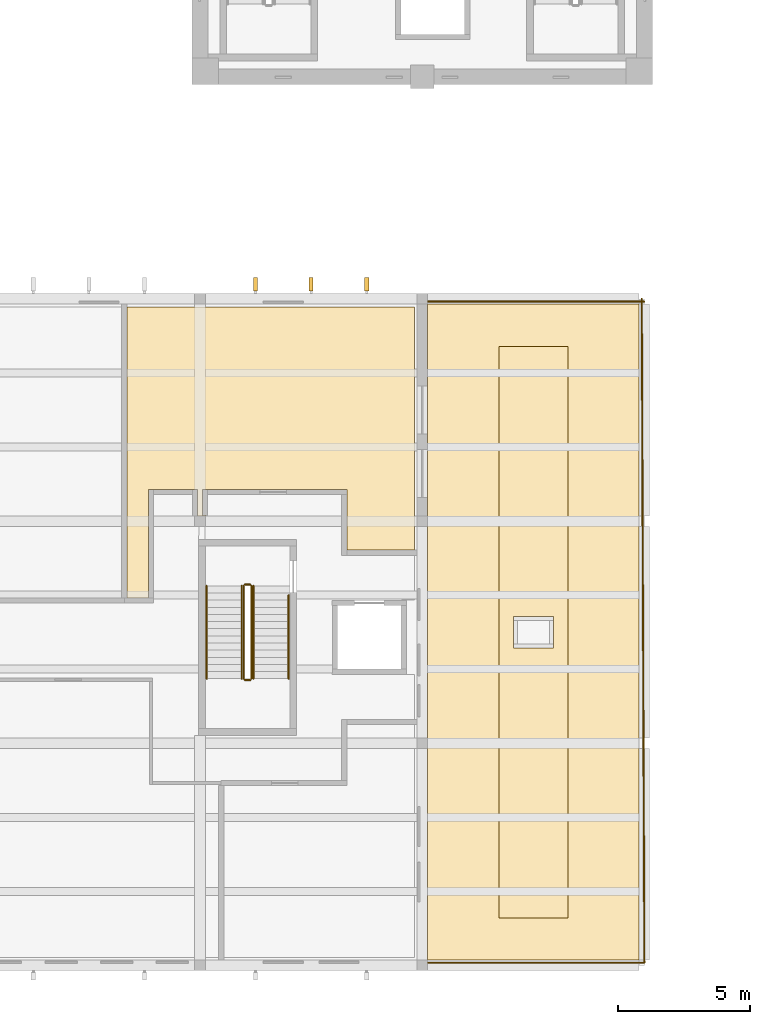
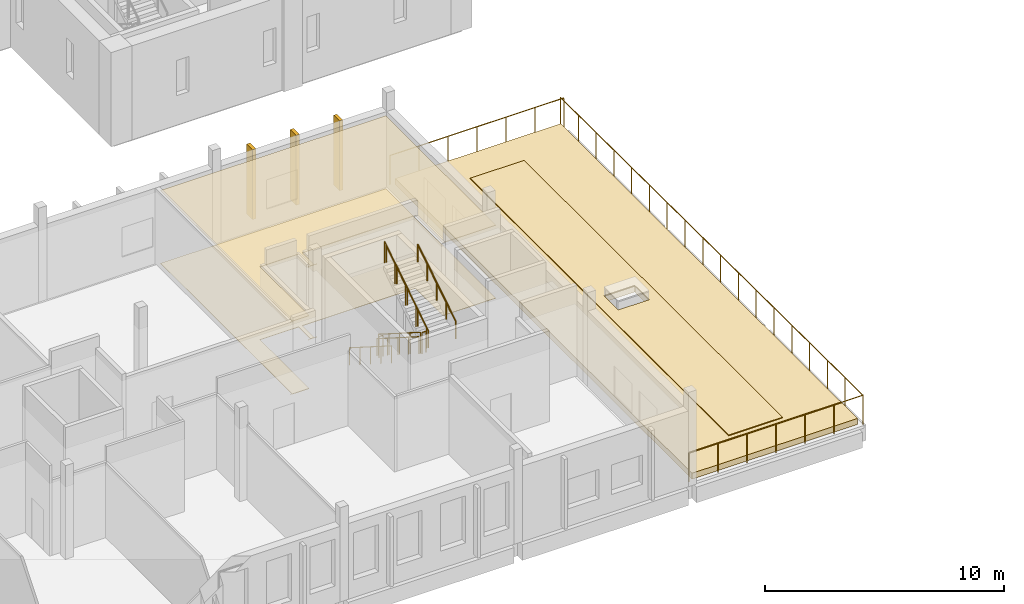
# One storey, part 59 of 79: 10 railings, 7 coverings.
"""IFC4 building model written with IfcOpenShell, lengths in metres."""

from ifc_helpers import new_model, si_unit, direction, frame, origin, origin_2d, place, context, subcontext, project, spatial, polyline, circle, outline, extrude, material, layer, layer_set, type_object, element, save


model = new_model("IFC4")

# Units and contexts
model_context = context("Model", 3, precision=1e-05, world=origin(), true_north=direction((0.0, 1.0)))
body_context = subcontext(model_context, "Body", "Model", "MODEL_VIEW")
ifc_project = project(units=[si_unit("LENGTHUNIT", "METRE"), si_unit("AREAUNIT", "SQUARE_METRE"), si_unit("VOLUMEUNIT", "CUBIC_METRE"), si_unit("PLANEANGLEUNIT", "RADIAN"), si_unit("MASSUNIT", "GRAM", prefix="KILO")], contexts=[model_context])

# Site, building, storey
site_placement = place(None, origin())
site = spatial("IfcSite", under=ifc_project, at=site_placement, CompositionType="ELEMENT")
building_placement = place(site_placement, origin())
building = spatial("IfcBuilding", under=site, at=building_placement, Name="Larchfold Concert Hall", CompositionType="ELEMENT")
storey_placement = place(building_placement, frame((0.0, 0.0, 14.39990234375)))
storey = spatial("IfcBuildingStorey", under=building, at=storey_placement, Name="L03", CompositionType="ELEMENT", Elevation=14.39990234375)

# Coverings
ifc_material_1 = material(Name="Plasterboard ceiling lining")
ifc_layer_1 = layer(ifc_material_1, 0.030029296875)
ifc_layer_set_1 = layer_set([ifc_layer_1], Name="Plasterboard ceiling lining")
covering_type_1 = type_object("IfcCoveringType", Name="Ceiling suspended plasterboard 30", PredefinedType="CEILING", material=ifc_layer_set_1)
covering_1_placement = place(storey_placement, frame((0.0, 0.0, 3.710205078125)))
element("IfcCovering", 1, at=covering_1_placement, inside=storey, type_object=covering_type_1, Name="Ceiling Practice Room 03", PredefinedType="CEILING", context=body_context, shape_type="SweptSolid", body=[
    extrude(outline(polyline([(31.333251953125, 14.4990234375), (32.25, 14.4990234375), (32.2509765625, 18.59912109375), (34.110107421875, 18.59912109375), (34.110107421875, 17.60009765625), (33.983154296875, 17.60009765625), (33.983154296875, 17.58203125), (34.0, 17.569580078125), (34.0, 17.599853515625), (34.39990234375, 17.599853515625), (34.39990234375, 17.561767578125), (34.419921875, 17.596435546875), (34.419921875, 17.619873046875), (34.2880859375, 17.6201171875), (34.2900390625, 18.599365234375), (39.7490234375, 18.59912109375), (39.7490234375, 16.299072265625), (42.300048828125, 16.299072265625), (42.300048828125, 25.5), (31.43310546875, 25.5), (31.43310546875, 14.5), (31.333251953125, 14.4990234375)])), origin(), (0.0, 0.0, 1.0), 0.030029296875),
])
ifc_material_2 = material(Name="Linoleum sheet")
ifc_layer_2 = layer(ifc_material_2, 0.02001953125)
ifc_layer_set_2 = layer_set([ifc_layer_2], Name="Linoleum sheet")
covering_type_2 = type_object("IfcCoveringType", Name="Floor finish vinyl 20", PredefinedType="FLOORING", material=ifc_layer_set_2)
covering_2_placement = place(storey_placement, origin())
element("IfcCovering", 2, at=covering_2_placement, inside=storey, type_object=covering_type_2, Name="Floor finish Practice Room 03", PredefinedType="FLOORING", context=body_context, shape_type="SweptSolid", body=[
    extrude(outline(polyline([(31.333251953125, 14.4990234375), (32.25, 14.4990234375), (32.2509765625, 18.59912109375), (34.110107421875, 18.59912109375), (34.110107421875, 17.60009765625), (33.983154296875, 17.60009765625), (33.983154296875, 17.58203125), (34.0, 17.569580078125), (34.0, 17.599853515625), (34.39990234375, 17.599853515625), (34.39990234375, 17.561767578125), (34.419921875, 17.596435546875), (34.419921875, 17.619873046875), (34.2880859375, 17.6201171875), (34.2900390625, 18.599365234375), (39.7490234375, 18.59912109375), (39.7490234375, 16.299072265625), (42.300048828125, 16.299072265625), (42.300048828125, 25.5), (31.43310546875, 25.5), (31.43310546875, 14.5), (31.333251953125, 14.4990234375)])), origin(), (0.0, 0.0, 1.0), 0.02001953125),
])
ifc_material_3 = material(Name="Glulam GL30c", Category="wood")
ifc_layer_3 = layer(ifc_material_3, 0.159912109375)
ifc_layer_set_3 = layer_set([ifc_layer_3], Name="Glulam GL30c")
covering_type_3 = type_object("IfcCoveringType", Name="Glulam fin 160x500", PredefinedType="CLADDING", material=ifc_layer_set_3)
covering_3_placement = place(storey_placement, frame((0.0, 0.0, 0.199951171875)))
element("IfcCovering", 3, at=covering_3_placement, inside=storey, type_object=covering_type_3, Name="Glulam fin FN-L03-001", PredefinedType="CLADDING", context=body_context, shape_type="SweptSolid", body=[
    extrude(outline(polyline([(36.3798828125, 26.10009765625), (36.3798828125, 26.60009765625), (36.219970703125, 26.60009765625), (36.219970703125, 26.10009765625), (36.3798828125, 26.10009765625)])), origin(), (0.0, 0.0, 1.0), 3.56005859375),
])
covering_4_placement = place(storey_placement, frame((0.0, 0.0, 0.199951171875)))
element("IfcCovering", 4, at=covering_4_placement, inside=storey, type_object=covering_type_3, Name="Glulam fin FN-L03-002", PredefinedType="CLADDING", context=body_context, shape_type="SweptSolid", body=[
    extrude(outline(polyline([(38.47998046875, 26.10009765625), (38.47998046875, 26.60009765625), (38.320068359375, 26.60009765625), (38.320068359375, 26.10009765625), (38.47998046875, 26.10009765625)])), origin(), (0.0, 0.0, 1.0), 3.56005859375),
])
covering_5_placement = place(storey_placement, frame((0.0, 0.0, 0.199951171875)))
element("IfcCovering", 5, at=covering_5_placement, inside=storey, type_object=covering_type_3, Name="Glulam fin FN-L03-003", PredefinedType="CLADDING", context=body_context, shape_type="SweptSolid", body=[
    extrude(outline(polyline([(40.580078125, 26.10009765625), (40.580078125, 26.60009765625), (40.419921875, 26.60009765625), (40.419921875, 26.10009765625), (40.580078125, 26.10009765625)])), origin(), (0.0, 0.0, 1.0), 3.56005859375),
])
ifc_material_4 = material(Name="Planting soil and drainage layer on membrane")
ifc_layer_4 = layer(ifc_material_4, 0.300048828125)
ifc_layer_set_4 = layer_set([ifc_layer_4], Name="Planting soil and drainage layer on membrane")
covering_type_4 = type_object("IfcCoveringType", Name="Planted roof build-up 300", PredefinedType="ROOFING", material=ifc_layer_set_4)
covering_6_placement = place(storey_placement, origin())
element("IfcCovering", 6, at=covering_6_placement, inside=storey, type_object=covering_type_4, Name="Roof covering RC002", PredefinedType="ROOFING", context=body_context, shape_type="SweptSolid", body=[
    extrude(outline(polyline([(42.81005859375, 25.60009765625), (42.81005859375, 0.800048828125), (50.800048828125, 0.800048828125), (50.800048828125, 25.60009765625), (42.81005859375, 25.60009765625)]), holes=[polyline([(47.56005859375, 13.80029296875), (46.06005859375, 13.80029296875), (46.06005859375, 12.60009765625), (47.56005859375, 12.60009765625), (47.56005859375, 13.80029296875)])]), origin(), (0.0, 0.0, 1.0), 0.300048828125),
])

# Railings
ifc_material_5 = material(Name="Graphite painted steel guard", Category="steel")
railing_type_1 = type_object("IfcRailingType", Name="Roof garden guard 1500", PredefinedType="GUARDRAIL", material=ifc_material_5)
railing_1_placement = place(storey_placement, frame((51.0, 25.699951171875, 0.0)))
element("IfcRailing", 7, at=railing_1_placement, inside=storey, type_object=railing_type_1, Name="Roof guard GR0003", PredefinedType="GUARDRAIL", context=body_context, shape_type="SweptSolid", body=[
    extrude(circle(Radius=0.02392578125, at=origin_2d()), frame((0.0, 0.0, 1.47607421875), z_axis=(-1.0, 0.0, 0.0), x_axis=(0.0, -1.0, 0.0)), (0.0, 0.0, 1.0), 8.389892578125),
    extrude(circle(Radius=0.02099609375, at=origin_2d()), origin(), (0.0, 0.0, 1.0), 1.451904296875),
    extrude(circle(Radius=0.02099609375, at=origin_2d()), frame((-1.3984375, 0.0, 0.0)), (0.0, 0.0, 1.0), 1.451904296875),
    extrude(circle(Radius=0.02099609375, at=origin_2d()), frame((-2.796630859375, 0.0, 0.0)), (0.0, 0.0, 1.0), 1.451904296875),
    extrude(circle(Radius=0.02099609375, at=origin_2d()), frame((-4.19482421875, 0.0, 0.0)), (0.0, 0.0, 1.0), 1.451904296875),
    extrude(circle(Radius=0.02099609375, at=origin_2d()), frame((-5.59326171875, 0.0, 0.0)), (0.0, 0.0, 1.0), 1.451904296875),
    extrude(circle(Radius=0.02099609375, at=origin_2d()), frame((-6.99169921875, 0.0, 0.0)), (0.0, 0.0, 1.0), 1.451904296875),
    extrude(circle(Radius=0.02099609375, at=origin_2d()), frame((-8.389892578125, 0.0, 0.0)), (0.0, 0.0, 1.0), 1.451904296875),
])
railing_2_placement = place(storey_placement, frame((42.610107421875, 0.7001953125, 0.0)))
element("IfcRailing", 8, at=railing_2_placement, inside=storey, type_object=railing_type_1, Name="Roof guard GR0004", PredefinedType="GUARDRAIL", context=body_context, shape_type="SweptSolid", body=[
    extrude(circle(Radius=0.02392578125, at=origin_2d()), frame((0.0, 0.0, 1.47607421875), z_axis=(1.0, 0.0, 0.0), x_axis=(0.0, 1.0, 0.0)), (0.0, 0.0, 1.0), 8.389892578125),
    extrude(circle(Radius=0.02392578125, at=origin_2d()), frame((8.389892578125, 0.0, 1.47607421875), z_axis=(-0.003987945994, 0.999992048112, 0.0), x_axis=(-0.999992048112, -0.003987945994, 0.0)), (0.0, 0.0, 1.0), 25.10009765625),
    extrude(circle(Radius=0.02099609375, at=origin_2d()), origin(), (0.0, 0.0, 1.0), 1.451904296875),
    extrude(circle(Radius=0.02099609375, at=origin_2d()), frame((1.3984375, 0.0, 0.0)), (0.0, 0.0, 1.0), 1.451904296875),
    extrude(circle(Radius=0.02099609375, at=origin_2d()), frame((2.796630859375, 0.0, 0.0)), (0.0, 0.0, 1.0), 1.451904296875),
    extrude(circle(Radius=0.02099609375, at=origin_2d()), frame((4.19482421875, 0.0, 0.0)), (0.0, 0.0, 1.0), 1.451904296875),
    extrude(circle(Radius=0.02099609375, at=origin_2d()), frame((5.59326171875, 0.0, 0.0)), (0.0, 0.0, 1.0), 1.451904296875),
    extrude(circle(Radius=0.02099609375, at=origin_2d()), frame((6.99169921875, 0.0, 0.0)), (0.0, 0.0, 1.0), 1.451904296875),
    extrude(circle(Radius=0.02099609375, at=origin_2d()), frame((8.389892578125, 0.0, 0.0)), (0.0, 0.0, 1.0), 1.451904296875),
    extrude(circle(Radius=0.02099609375, at=origin_2d()), frame((8.384033203125, 1.4765625, 0.0)), (0.0, 0.0, 1.0), 1.451904296875),
    extrude(circle(Radius=0.02099609375, at=origin_2d()), frame((8.378173828125, 2.952880859375, 0.0)), (0.0, 0.0, 1.0), 1.451904296875),
    extrude(circle(Radius=0.02099609375, at=origin_2d()), frame((8.372314453125, 4.429443359375, 0.0)), (0.0, 0.0, 1.0), 1.451904296875),
    extrude(circle(Radius=0.02099609375, at=origin_2d()), frame((8.366455078125, 5.90576171875, 0.0)), (0.0, 0.0, 1.0), 1.451904296875),
    extrude(circle(Radius=0.02099609375, at=origin_2d()), frame((8.3603515625, 7.38232421875, 0.0)), (0.0, 0.0, 1.0), 1.451904296875),
    extrude(circle(Radius=0.02099609375, at=origin_2d()), frame((8.3544921875, 8.85888671875, 0.0)), (0.0, 0.0, 1.0), 1.451904296875),
    extrude(circle(Radius=0.02099609375, at=origin_2d()), frame((8.3486328125, 10.335205078125, 0.0)), (0.0, 0.0, 1.0), 1.451904296875),
    extrude(circle(Radius=0.02099609375, at=origin_2d()), frame((8.3427734375, 11.811767578125, 0.0)), (0.0, 0.0, 1.0), 1.451904296875),
    extrude(circle(Radius=0.02099609375, at=origin_2d()), frame((8.3369140625, 13.2880859375, 0.0)), (0.0, 0.0, 1.0), 1.451904296875),
    extrude(circle(Radius=0.02099609375, at=origin_2d()), frame((8.3310546875, 14.7646484375, 0.0)), (0.0, 0.0, 1.0), 1.451904296875),
    extrude(circle(Radius=0.02099609375, at=origin_2d()), frame((8.3251953125, 16.240966796875, 0.0)), (0.0, 0.0, 1.0), 1.451904296875),
    extrude(circle(Radius=0.02099609375, at=origin_2d()), frame((8.3193359375, 17.717529296875, 0.0)), (0.0, 0.0, 1.0), 1.451904296875),
    extrude(circle(Radius=0.02099609375, at=origin_2d()), frame((8.313232421875, 19.194091796875, 0.0)), (0.0, 0.0, 1.0), 1.451904296875),
    extrude(circle(Radius=0.02099609375, at=origin_2d()), frame((8.307373046875, 20.67041015625, 0.0)), (0.0, 0.0, 1.0), 1.451904296875),
    extrude(circle(Radius=0.02099609375, at=origin_2d()), frame((8.301513671875, 22.14697265625, 0.0)), (0.0, 0.0, 1.0), 1.451904296875),
    extrude(circle(Radius=0.02099609375, at=origin_2d()), frame((8.295654296875, 23.623291015625, 0.0)), (0.0, 0.0, 1.0), 1.451904296875),
    extrude(circle(Radius=0.02099609375, at=origin_2d()), frame((8.289794921875, 25.099853515625, 0.0)), (0.0, 0.0, 1.0), 1.451904296875),
])

# Covering
ifc_material_6 = material(Name="Concrete paving slab on pedestals", Category="concrete")
ifc_layer_5 = layer(ifc_material_6, 0.0400390625)
ifc_layer_set_5 = layer_set([ifc_layer_5], Name="Concrete paving slab on pedestals")
covering_type_5 = type_object("IfcCoveringType", Name="Roof terrace paving 40", PredefinedType="FLOORING", material=ifc_layer_set_5)
covering_7_placement = place(storey_placement, frame((0.0, 0.0, 0.300048828125)))
element("IfcCovering", 9, at=covering_7_placement, inside=storey, type_object=covering_type_5, Name="Roof paving PV02", PredefinedType="FLOORING", context=body_context, shape_type="SweptSolid", body=[
    extrude(outline(polyline([(48.10498046875, 2.400146484375), (48.10498046875, 24.0), (45.505126953125, 24.0), (45.505126953125, 2.400146484375), (48.10498046875, 2.400146484375)]), holes=[polyline([(47.56005859375, 13.80029296875), (46.06005859375, 13.80029296875), (46.06005859375, 12.60009765625), (47.56005859375, 12.60009765625), (47.56005859375, 13.80029296875)])]), origin(), (0.0, 0.0, 1.0), 0.0400390625),
])

# Railings
ifc_material_7 = material(Name="Stainless steel balustrade", Category="steel")
railing_type_2 = type_object("IfcRailingType", Name="Stair guard 1100", PredefinedType="GUARDRAIL", material=ifc_material_7)
railing_3_placement = place(storey_placement, frame((35.849853515625, 14.949951171875, 0.171630859375)))
element("IfcRailing", 10, at=railing_3_placement, inside=storey, type_object=railing_type_2, Name="Guard GR0072", PredefinedType="GUARDRAIL", context=body_context, shape_type="SweptSolid", body=[
    extrude(circle(Radius=0.02392578125, at=origin_2d()), frame((0.0, 0.0, 1.076171875), z_axis=(0.0, -0.844219563411, 0.53599750816), x_axis=(1.0, 0.0, 0.0)), (0.0, 0.0, 1.0), 4.15771484375),
    extrude(circle(Radius=0.02099609375, at=origin_2d()), origin(), (0.0, 0.0, 1.0), 1.052001953125),
    extrude(circle(Radius=0.02099609375, at=origin_2d()), frame((0.0, -0.87744140625, 0.55712890625)), (0.0, 0.0, 1.0), 1.052001953125),
    extrude(circle(Radius=0.02099609375, at=origin_2d()), frame((0.0, -1.7548828125, 1.1142578125)), (0.0, 0.0, 1.0), 1.052001953125),
    extrude(circle(Radius=0.02099609375, at=origin_2d()), frame((0.0, -2.632568359375, 1.67138671875)), (0.0, 0.0, 1.0), 1.052001953125),
    extrude(circle(Radius=0.02099609375, at=origin_2d()), frame((0.0, -3.510009765625, 2.228515625)), (0.0, 0.0, 1.0), 1.052001953125),
])
railing_4_placement = place(storey_placement, frame((35.89990234375, 11.389892578125, 2.400146484375)))
element("IfcRailing", 11, at=railing_4_placement, inside=storey, type_object=railing_type_2, Name="Guard GR0073", PredefinedType="GUARDRAIL", context=body_context, shape_type="SweptSolid", body=[
    extrude(circle(Radius=0.02392578125, at=origin_2d()), frame((0.0, 0.0, 1.076171875), z_axis=(1.0, 0.0, 0.0), x_axis=(0.0, 1.0, 0.0)), (0.0, 0.0, 1.0), 0.199951171875),
    extrude(circle(Radius=0.02099609375, at=origin_2d()), origin(), (0.0, 0.0, 1.0), 1.052001953125),
    extrude(circle(Radius=0.02099609375, at=origin_2d()), frame((0.199951171875, 0.0, 0.0)), (0.0, 0.0, 1.0), 1.052001953125),
])
railing_5_placement = place(storey_placement, frame((36.14990234375, 11.43994140625, 2.571533203125)))
element("IfcRailing", 12, at=railing_5_placement, inside=storey, type_object=railing_type_2, Name="Guard GR0074", PredefinedType="GUARDRAIL", context=body_context, shape_type="SweptSolid", body=[
    extrude(circle(Radius=0.02392578125, at=origin_2d()), frame((0.0, 0.0, 1.076171875), z_axis=(0.0, 0.844219563411, 0.53599750816), x_axis=(-1.0, 0.0, 0.0)), (0.0, 0.0, 1.0), 4.15771484375),
    extrude(circle(Radius=0.02099609375, at=origin_2d()), origin(), (0.0, 0.0, 1.0), 1.052001953125),
    extrude(circle(Radius=0.02099609375, at=origin_2d()), frame((0.0, 0.87744140625, 0.55712890625)), (0.0, 0.0, 1.0), 1.052001953125),
    extrude(circle(Radius=0.02099609375, at=origin_2d()), frame((0.0, 1.7548828125, 1.1142578125)), (0.0, 0.0, 1.0), 1.052001953125),
    extrude(circle(Radius=0.02099609375, at=origin_2d()), frame((0.0, 2.632568359375, 1.67138671875)), (0.0, 0.0, 1.0), 1.052001953125),
    extrude(circle(Radius=0.02099609375, at=origin_2d()), frame((0.0, 3.510009765625, 2.228515625)), (0.0, 0.0, 1.0), 1.052001953125),
])
railing_6_placement = place(storey_placement, frame((35.89990234375, 15.0, 0.0)))
element("IfcRailing", 13, at=railing_6_placement, inside=storey, type_object=railing_type_2, Name="Guard GR0075", PredefinedType="GUARDRAIL", context=body_context, shape_type="SweptSolid", body=[
    extrude(circle(Radius=0.02392578125, at=origin_2d()), frame((0.0, 0.0, 1.076171875), z_axis=(1.0, 0.0, 0.0), x_axis=(0.0, 1.0, 0.0)), (0.0, 0.0, 1.0), 0.199951171875),
    extrude(circle(Radius=0.02099609375, at=origin_2d()), origin(), (0.0, 0.0, 1.0), 1.052001953125),
    extrude(circle(Radius=0.02099609375, at=origin_2d()), frame((0.199951171875, 0.0, 0.0)), (0.0, 0.0, 1.0), 1.052001953125),
])
ifc_material_8 = material(Name="Stainless steel handrail", Category="steel")
railing_type_3 = type_object("IfcRailingType", Name="Stair handrail 900", PredefinedType="HANDRAIL", material=ifc_material_8)
railing_7_placement = place(storey_placement, frame((34.449951171875, 14.949951171875, 0.171630859375)))
element("IfcRailing", 14, at=railing_7_placement, inside=storey, type_object=railing_type_3, Name="Handrail HR0065", PredefinedType="HANDRAIL", context=body_context, shape_type="SweptSolid", body=[
    extrude(circle(Radius=0.02392578125, at=origin_2d()), frame((0.0, 0.0, 0.8759765625), z_axis=(0.0, -0.844219563411, 0.53599750816), x_axis=(1.0, 0.0, 0.0)), (0.0, 0.0, 1.0), 4.15771484375),
    extrude(circle(Radius=0.02099609375, at=origin_2d()), origin(), (0.0, 0.0, 1.0), 0.851806640625),
    extrude(circle(Radius=0.02099609375, at=origin_2d()), frame((0.0, -0.87744140625, 0.55712890625)), (0.0, 0.0, 1.0), 0.851806640625),
    extrude(circle(Radius=0.02099609375, at=origin_2d()), frame((0.0, -1.7548828125, 1.1142578125)), (0.0, 0.0, 1.0), 0.851806640625),
    extrude(circle(Radius=0.02099609375, at=origin_2d()), frame((0.0, -2.632568359375, 1.67138671875)), (0.0, 0.0, 1.0), 0.851806640625),
    extrude(circle(Radius=0.02099609375, at=origin_2d()), frame((0.0, -3.510009765625, 2.228515625)), (0.0, 0.0, 1.0), 0.851806640625),
])
railing_8_placement = place(storey_placement, frame((37.5498046875, 11.43994140625, 2.571533203125)))
element("IfcRailing", 15, at=railing_8_placement, inside=storey, type_object=railing_type_3, Name="Handrail HR0066", PredefinedType="HANDRAIL", context=body_context, shape_type="SweptSolid", body=[
    extrude(circle(Radius=0.02392578125, at=origin_2d()), frame((0.0, 0.0, 0.8759765625), z_axis=(0.0, 0.844224994989, 0.535988953092), x_axis=(-1.0, 0.0, 0.0)), (0.0, 0.0, 1.0), 3.7431640625),
    extrude(circle(Radius=0.02099609375, at=origin_2d()), origin(), (0.0, 0.0, 1.0), 0.851806640625),
    extrude(circle(Radius=0.02099609375, at=origin_2d()), frame((0.0, 0.7900390625, 0.50146484375)), (0.0, 0.0, 1.0), 0.851806640625),
    extrude(circle(Radius=0.02099609375, at=origin_2d()), frame((0.0, 1.580078125, 1.003173828125)), (0.0, 0.0, 1.0), 0.851806640625),
    extrude(circle(Radius=0.02099609375, at=origin_2d()), frame((0.0, 2.3701171875, 1.5048828125)), (0.0, 0.0, 1.0), 0.851806640625),
    extrude(circle(Radius=0.02099609375, at=origin_2d()), frame((0.0, 3.16015625, 2.00634765625)), (0.0, 0.0, 1.0), 0.851806640625),
])
railing_9_placement = place(storey_placement, frame((35.77978515625, 14.949951171875, 0.171630859375)))
element("IfcRailing", 16, at=railing_9_placement, inside=storey, type_object=railing_type_3, Name="Handrail HR0067", PredefinedType="HANDRAIL", context=body_context, shape_type="SweptSolid", body=[
    extrude(circle(Radius=0.02392578125, at=origin_2d()), frame((0.0, 0.0, 0.8759765625), z_axis=(0.0, -0.844219563411, 0.53599750816), x_axis=(1.0, 0.0, 0.0)), (0.0, 0.0, 1.0), 4.15771484375),
    extrude(circle(Radius=0.02099609375, at=origin_2d()), origin(), (0.0, 0.0, 1.0), 0.851806640625),
    extrude(circle(Radius=0.02099609375, at=origin_2d()), frame((0.0, -0.87744140625, 0.55712890625)), (0.0, 0.0, 1.0), 0.851806640625),
    extrude(circle(Radius=0.02099609375, at=origin_2d()), frame((0.0, -1.7548828125, 1.1142578125)), (0.0, 0.0, 1.0), 0.851806640625),
    extrude(circle(Radius=0.02099609375, at=origin_2d()), frame((0.0, -2.632568359375, 1.67138671875)), (0.0, 0.0, 1.0), 0.851806640625),
    extrude(circle(Radius=0.02099609375, at=origin_2d()), frame((0.0, -3.510009765625, 2.228515625)), (0.0, 0.0, 1.0), 0.851806640625),
])
railing_10_placement = place(storey_placement, frame((36.219970703125, 11.43994140625, 2.571533203125)))
element("IfcRailing", 17, at=railing_10_placement, inside=storey, type_object=railing_type_3, Name="Handrail HR0068", PredefinedType="HANDRAIL", context=body_context, shape_type="SweptSolid", body=[
    extrude(circle(Radius=0.02392578125, at=origin_2d()), frame((0.0, 0.0, 0.8759765625), z_axis=(0.0, 0.844219563411, 0.53599750816), x_axis=(-1.0, 0.0, 0.0)), (0.0, 0.0, 1.0), 4.15771484375),
    extrude(circle(Radius=0.02099609375, at=origin_2d()), origin(), (0.0, 0.0, 1.0), 0.851806640625),
    extrude(circle(Radius=0.02099609375, at=origin_2d()), frame((0.0, 0.87744140625, 0.55712890625)), (0.0, 0.0, 1.0), 0.851806640625),
    extrude(circle(Radius=0.02099609375, at=origin_2d()), frame((0.0, 1.7548828125, 1.1142578125)), (0.0, 0.0, 1.0), 0.851806640625),
    extrude(circle(Radius=0.02099609375, at=origin_2d()), frame((0.0, 2.632568359375, 1.67138671875)), (0.0, 0.0, 1.0), 0.851806640625),
    extrude(circle(Radius=0.02099609375, at=origin_2d()), frame((0.0, 3.510009765625, 2.228515625)), (0.0, 0.0, 1.0), 0.851806640625),
])

save(model, "model.ifc")
